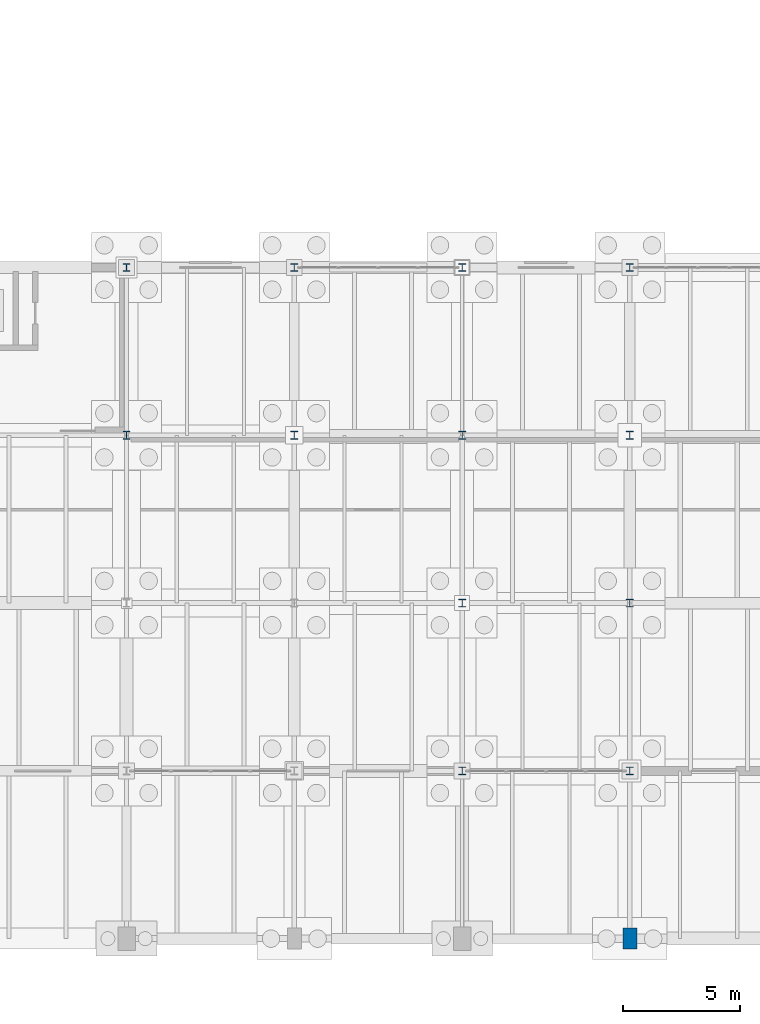
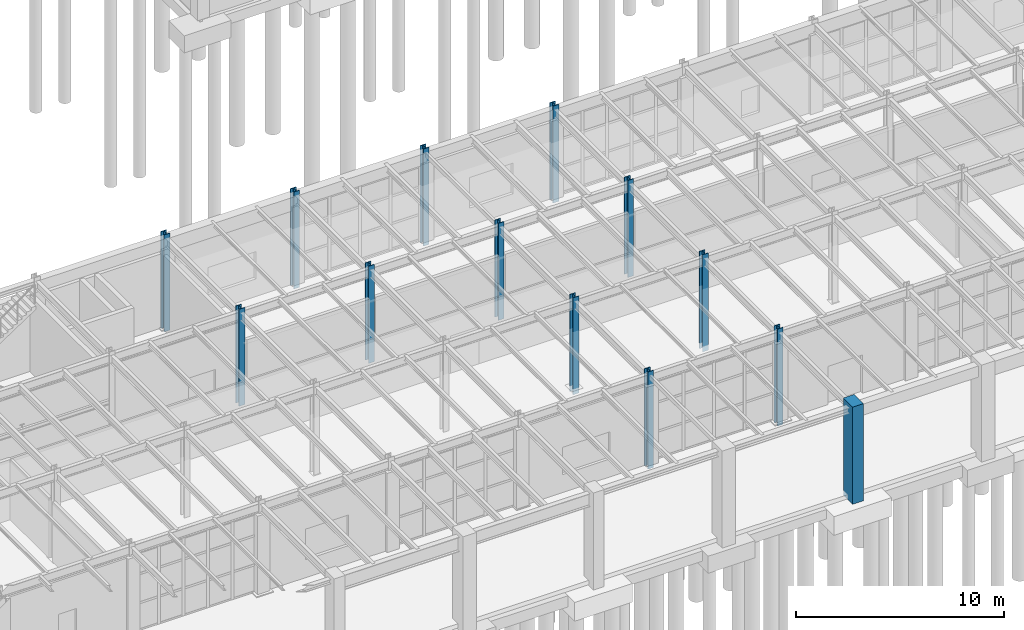
# One storey, part 20 of 293: 13 columns.
"""IFC4 building model written with IfcOpenShell, lengths in metres."""

from ifc_helpers import new_model, si_unit, direction, frame, origin, origin_2d, place, context, subcontext, project, spatial, rectangle, i_section, extrude, material, material_profile, profile_set, type_object, element, save


model = new_model("IFC4")

# Units and contexts
model_context = context("Model", 3, precision=1e-05, world=origin(), true_north=direction((0.0, 1.0)))
body_context = subcontext(model_context, "Body", "Model", "MODEL_VIEW")
ifc_project = project(units=[si_unit("LENGTHUNIT", "METRE"), si_unit("AREAUNIT", "SQUARE_METRE"), si_unit("VOLUMEUNIT", "CUBIC_METRE"), si_unit("PLANEANGLEUNIT", "RADIAN"), si_unit("MASSUNIT", "GRAM", prefix="KILO")], contexts=[model_context])

# Site, building, storey
site_placement = place(None, origin())
site = spatial("IfcSite", under=ifc_project, at=site_placement, CompositionType="ELEMENT")
building_placement = place(site_placement, origin())
building = spatial("IfcBuilding", under=site, at=building_placement, Name="Kemerveld Promenade Tramway Depot", CompositionType="ELEMENT")
storey_placement = place(building_placement, origin())
storey = spatial("IfcBuildingStorey", under=building, at=storey_placement, Name="L00", CompositionType="ELEMENT", Elevation=0.0)

# Columns
ifc_material_1 = material(Name="Concrete C40/50", Category="concrete")
ifc_material_profile_1 = material_profile(ifc_material_1, rectangle(XDim=0.60009765625, YDim=0.89990234375, at=origin_2d()), Name="RC-PIER-900x600")
ifc_profile_set_1 = profile_set([ifc_material_profile_1], Name="Concrete C40/50")
column_type_1 = type_object("IfcColumnType", Name="COL-RC3", PredefinedType="COLUMN", material=ifc_profile_set_1)
column_placement = place(storey_placement, frame((122.39990234375, 0.0, -0.300048828125), z_axis=(0.0, 0.0, 1.0), x_axis=(1.0, 0.0, 0.0)))
element("IfcColumn", 1, at=column_placement, inside=storey, type_object=column_type_1, Name="COL-L00-18-A", PredefinedType="COLUMN", context=body_context, shape_type="SweptSolid", body=[
    extrude(rectangle(XDim=0.60009765625, YDim=0.89990234375, at=origin_2d()), origin(), (0.0, 0.0, 1.0), 5.699951171875),
])
ifc_material_2 = material(Name="Steel S355", Category="steel")
ifc_material_profile_2 = material_profile(ifc_material_2, i_section(OverallWidth=0.318359375, OverallDepth=0.3525390625, WebThickness=0.02294921875, FlangeThickness=0.03759765625, FilletRadius=0.01513671875, at=origin_2d()), Name="305x305x240 UC")
ifc_profile_set_2 = profile_set([ifc_material_profile_2], Name="Steel S355")
column_type_2 = type_object("IfcColumnType", Name="COL-S04", PredefinedType="COLUMN", material=ifc_profile_set_2)
for number, where, z_axis, x_axis, name in (
    (2, (100.800048828125, 21.60009765625, -0.300048828125), (0.0, 0.0, 1.0), (1.0, 0.0, 0.0), "COL-L00-15-D"),
    (3, (100.800048828125, 28.800048828125, -0.300048828125), (0.0, 0.0, 1.0), (1.0, 0.0, 0.0), "COL-L00-15-E"),
    (4, (108.0, 21.60009765625, -0.300048828125), (0.0, 0.0, 1.0), (1.0, 0.0, 0.0), "COL-L00-16-D"),
    (5, (108.0, 28.800048828125, -0.300048828125), (0.0, 0.0, 1.0), (1.0, 0.0, 0.0), "COL-L00-16-E"),
    (6, (115.199951171875, 7.199951171875, -0.300048828125), (0.0, 0.0, 1.0), (1.0, 0.0, 0.0), "COL-L00-17-B"),
    (7, (115.199951171875, 14.39990234375, -0.300048828125), (0.0, 0.0, 1.0), (1.0, 0.0, 0.0), "COL-L00-17-C"),
    (8, (115.199951171875, 21.60009765625, -0.300048828125), (0.0, 0.0, 1.0), (1.0, 0.0, 0.0), "COL-L00-17-D"),
    (9, (115.199951171875, 28.800048828125, -0.300048828125), (0.0, 0.0, 1.0), (1.0, 0.0, 0.0), "COL-L00-17-E"),
    (10, (122.39990234375, 7.199951171875, -0.300048828125), (0.0, 0.0, 1.0), (1.0, 0.0, 0.0), "COL-L00-18-B"),
    (11, (122.39990234375, 14.39990234375, -0.300048828125), (0.0, 0.0, 1.0), (1.0, 0.0, 0.0), "COL-L00-18-C"),
    (12, (122.39990234375, 21.60009765625, -0.300048828125), (0.0, 0.0, 1.0), (1.0, 0.0, 0.0), "COL-L00-18-D"),
    (13, (122.39990234375, 28.800048828125, -0.300048828125), (0.0, 0.0, 1.0), (1.0, 0.0, 0.0), "COL-L00-18-E"),
):
    element("IfcColumn", number, at=place(storey_placement, frame(where, z_axis=z_axis, x_axis=x_axis)), inside=storey, type_object=column_type_2, Name=name, PredefinedType="COLUMN", context=body_context, shape_type="SweptSolid", body=[
        extrude(i_section(OverallWidth=0.318359375, OverallDepth=0.3525390625, WebThickness=0.02294921875, FlangeThickness=0.03759765625, FilletRadius=0.01513671875, at=origin_2d()), origin(), (0.0, 0.0, 1.0), 5.699951171875),
    ])

save(model, "model.ifc")
